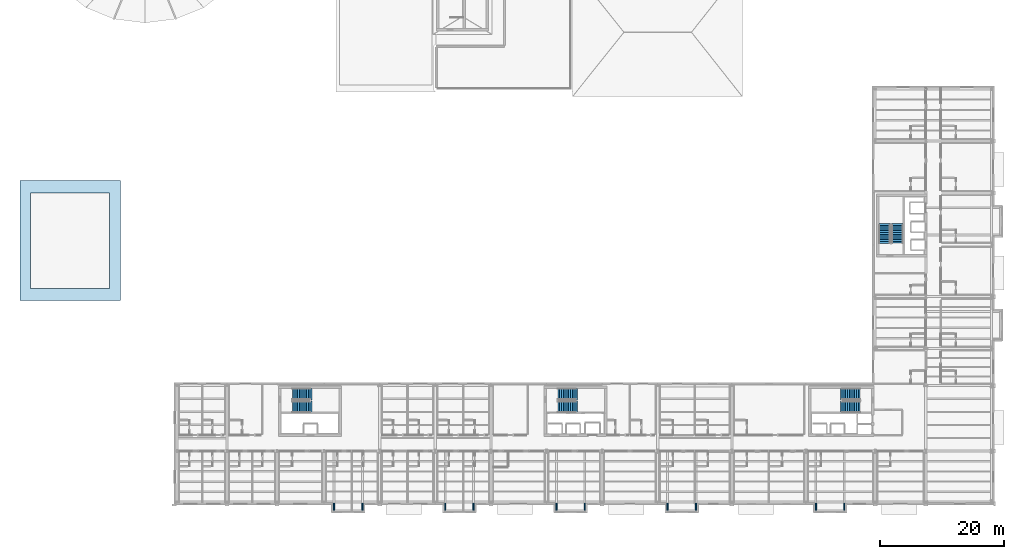
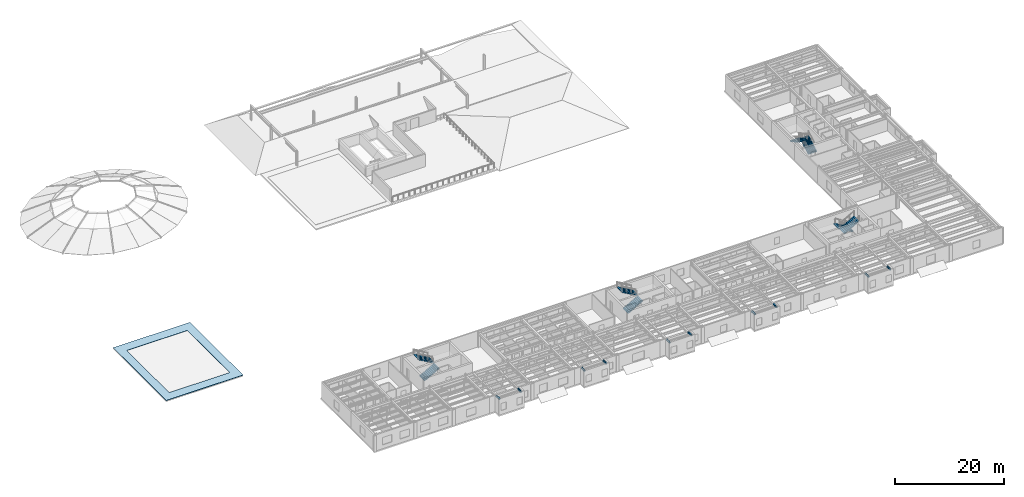
# One storey, part 27 of 34: 10 discrete accessories, 8 stair flights, 1 roof, 4 elements without a shape of their own.
"""IFC4 building model written with IfcOpenShell, lengths in metres."""

import ifcopenshell
import ifcopenshell.guid

model = None  # the IFC model being written
_history = None  # IfcOwnerHistory: only IFC2X3 demands one
_inside = {}  # id of a spatial element -> (the spatial element, [elements in it])
_under = {}  # id of a project, library or spatial element -> (it, [spatial elements below it])
_declared = {}  # id of a project -> (the project, [libraries it declares])
_typed = {}  # id of a type object -> (the type object, [elements of that type])
_made_of = {}  # id of a material, layer set ... -> (it, [elements and type objects made of it])


def new_model(schema):
    """Start an empty IFC model of exactly this schema.

    Asked for "IFC4X3", IfcOpenShell would pick the latest addendum, in which some entities
    have other attributes; the version numbers below select the first issue.
    IFC2X3 requires an IfcOwnerHistory on every rooted entity: one is made here for all.
    """
    global model, _history
    if schema == "IFC4X3":
        model = ifcopenshell.file(schema_version=(4, 3, 0, 0))
    else:
        model = ifcopenshell.file(schema=schema)
    _inside.clear()
    _under.clear()
    _declared.clear()
    _typed.clear()
    _made_of.clear()
    _history = None
    if model.schema == "IFC2X3":
        org = make("IfcOrganization", Name="unknown")
        user = make(
            "IfcPersonAndOrganization",
            ThePerson=make("IfcPerson", FamilyName="unknown"),
            TheOrganization=org,
        )
        app = make(
            "IfcApplication",
            ApplicationDeveloper=org,
            Version="unknown",
            ApplicationFullName="unknown",
            ApplicationIdentifier="unknown",
        )
        _history = make(
            "IfcOwnerHistory",
            OwningUser=user,
            OwningApplication=app,
            ChangeAction="ADDED",
            CreationDate=0,
        )
    return model


def make(cls, **values):
    """One entity of the class cls with the attributes given. An attribute that is None is left unset."""
    return model.create_entity(
        cls, **{name: value for name, value in values.items() if value is not None}
    )


def rooted(cls, **values):
    """An entity with a GlobalId (a new one), such as an element, a storey or a relation."""
    return make(cls, GlobalId=ifcopenshell.guid.new(), OwnerHistory=_history, **values)


def si_unit(unit_type, name, prefix=None):
    """IfcSIUnit, for example si_unit("LENGTHUNIT", "METRE", prefix="MILLI")."""
    return make("IfcSIUnit", UnitType=unit_type, Prefix=prefix, Name=name)


def assignment(units):
    """IfcUnitAssignment: the units of a project."""
    return None if units is None else make("IfcUnitAssignment", Units=units)


def point(xyz):
    """IfcCartesianPoint."""
    return None if xyz is None else make("IfcCartesianPoint", Coordinates=xyz)


def direction(xyz):
    """IfcDirection."""
    return None if xyz is None else make("IfcDirection", DirectionRatios=xyz)


def frame(location, z_axis=None, x_axis=None):
    """IfcAxis2Placement3D, a coordinate frame: its origin and axes. An axis left out is left unset."""
    return make(
        "IfcAxis2Placement3D",
        Location=point(location),
        Axis=direction(z_axis),
        RefDirection=direction(x_axis),
    )


def frame_2d(location, x_axis=None):
    """IfcAxis2Placement2D, a coordinate frame in the plane: its origin and x axis."""
    return make(
        "IfcAxis2Placement2D", Location=point(location), RefDirection=direction(x_axis)
    )


def origin():
    """The frame at (0, 0, 0) with its axes left unset."""
    return frame((0.0, 0.0, 0.0))


def origin_2d():
    """The frame at (0, 0) in the plane with its x axis left unset."""
    return frame_2d((0.0, 0.0))


def place(relative_to, where):
    """IfcLocalPlacement: puts the frame where relative to a parent placement (None: the world)."""
    return make(
        "IfcLocalPlacement", PlacementRelTo=relative_to, RelativePlacement=where
    )


def context(
    kind, dimensions, precision=None, world=None, true_north=None, identifier=None
):
    """IfcGeometricRepresentationContext, for example the 3D "Model" context."""
    return make(
        "IfcGeometricRepresentationContext",
        ContextIdentifier=identifier,
        ContextType=kind,
        CoordinateSpaceDimension=dimensions,
        Precision=precision,
        WorldCoordinateSystem=world,
        TrueNorth=true_north,
    )


def subcontext(parent, identifier, kind, view, scale=None):
    """IfcGeometricRepresentationSubContext, for example "Body" below "Model"."""
    return make(
        "IfcGeometricRepresentationSubContext",
        ContextIdentifier=identifier,
        ContextType=kind,
        ParentContext=parent,
        TargetScale=scale,
        TargetView=view,
    )


def project(units=None, contexts=None):
    """IfcProject with its units and contexts."""
    return rooted(
        "IfcProject",
        Name="project",
        RepresentationContexts=contexts,
        UnitsInContext=assignment(units),
    )


def spatial(cls, under=None, at=None, **own):
    """A site, building, storey or space (cls), placed at a placement, below another one or the project."""
    s = rooted(cls, ObjectPlacement=at, **own)
    if under is not None:
        _under.setdefault(under.id(), (under, []))[1].append(s)
    return s


def polyline(points):
    """IfcPolyline through the points."""
    return make("IfcPolyline", Points=[point(p) for p in points])


def profile(cls, at=None, kind="AREA", **sizes):
    """A parametric profile (cls). Its sizes go by their IFC names, for example OverallWidth=200.0."""
    return make(cls, ProfileType=kind, Position=at, **sizes)


def rectangle(**sizes):
    """IfcRectangleProfileDef."""
    return profile("IfcRectangleProfileDef", **sizes)


def outline(outer, holes=None, kind="AREA"):
    """IfcArbitraryClosedProfileDef: a profile drawn as a closed curve; with holes, ...WithVoids."""
    if holes is None:
        return make("IfcArbitraryClosedProfileDef", ProfileType=kind, OuterCurve=outer)
    return make(
        "IfcArbitraryProfileDefWithVoids",
        ProfileType=kind,
        OuterCurve=outer,
        InnerCurves=holes,
    )


def extrude(swept, where, along, depth):
    """IfcExtrudedAreaSolid: the profile swept, set in the frame where, extruded along a direction by depth."""
    return make(
        "IfcExtrudedAreaSolid",
        SweptArea=swept,
        Position=where,
        ExtrudedDirection=direction(along),
        Depth=depth,
    )


def shape(context_of_items, identifier, shape_type, items):
    """IfcShapeRepresentation: the items that make up one representation, for example the "Body"."""
    return make(
        "IfcShapeRepresentation",
        ContextOfItems=context_of_items,
        RepresentationIdentifier=identifier,
        RepresentationType=shape_type,
        Items=items,
    )


def material(Name=None, Category=None):
    """IfcMaterial."""
    return make("IfcMaterial", Name=Name, Category=Category)


def layer(
    of_material, thickness, ventilated=None, Name=None, Category=None, Priority=None
):
    """IfcMaterialLayer: one layer of a wall or slab, of a material (None: an air gap)."""
    return make(
        "IfcMaterialLayer",
        Material=of_material,
        LayerThickness=thickness,
        IsVentilated=ventilated,
        Name=Name,
        Category=Category,
        Priority=Priority,
    )


def layer_set(layers, Name=None):
    """IfcMaterialLayerSet."""
    return make("IfcMaterialLayerSet", MaterialLayers=layers, LayerSetName=Name)


def made_of(thing, what):
    """Note that an element or type object is made of a material, layer set ...; save() writes the relation."""
    if what is not None:
        _made_of.setdefault(what.id(), (what, []))[1].append(thing)
    return thing


def type_object(cls, material=None, **own):
    """A type object (cls), such as IfcWallType, which elements share."""
    return made_of(rooted(cls, **own), material)


def element(
    cls,
    number,
    at=None,
    inside=None,
    cuts=None,
    type_object=None,
    material=None,
    context=None,
    identifier="Body",
    shape_type=None,
    held_by="IfcProductDefinitionShape",
    body=None,
    shapes=None,
    **own,
):
    """One element of the class cls, such as IfcWall. Its Tag is "e" and its number.

    at: its placement. inside: the storey or other place that contains it. cuts: it is an
    opening in that element (IfcRelVoidsElement). A single representation is given by context,
    identifier, shape_type and body (its items); several are given by shapes. held_by: the class
    of the entity that holds the representations. save() writes the other relations.
    """
    e = rooted(cls, Tag="e%d" % number, ObjectPlacement=at, **own)
    if body is not None:
        shapes = [shape(context, identifier, shape_type, body)]
    if shapes is not None:
        e.Representation = make(held_by, Representations=shapes)
    if inside is not None:
        _inside.setdefault(inside.id(), (inside, []))[1].append(e)
    if cuts is not None:
        rooted(
            "IfcRelVoidsElement", RelatingBuildingElement=cuts, RelatedOpeningElement=e
        )
    if type_object is not None:
        _typed.setdefault(type_object.id(), (type_object, []))[1].append(e)
    return made_of(e, material)


def aggregate(whole, parts):
    """IfcRelAggregates: a whole, such as a stair, and the parts it consists of."""
    return rooted("IfcRelAggregates", RelatingObject=whole, RelatedObjects=parts)


def save(model, path):
    """Write the relations noted so far, then the file.

    IfcRelAggregates (storeys below a building ...), IfcRelContainedInSpatialStructure (elements
    in a storey), IfcRelDefinesByType, IfcRelAssociatesMaterial and IfcRelDeclares: one each for
    every whole, place, type object, material and project.
    """
    for whole, parts in _under.values():
        aggregate(whole, parts)
    for where, things in _inside.values():
        rooted(
            "IfcRelContainedInSpatialStructure",
            RelatedElements=things,
            RelatingStructure=where,
        )
    for kind, things in _typed.values():
        rooted("IfcRelDefinesByType", RelatedObjects=things, RelatingType=kind)
    for what, things in _made_of.values():
        rooted("IfcRelAssociatesMaterial", RelatedObjects=things, RelatingMaterial=what)
    for by, libraries in _declared.values():
        rooted("IfcRelDeclares", RelatingContext=by, RelatedDefinitions=libraries)
    model.write(path)


model = new_model("IFC4")

# Units and contexts
model_context = context("Model", 3, precision=1e-05, world=origin(), true_north=direction((0.0, 1.0)))
body_context = subcontext(model_context, "Body", "Model", "MODEL_VIEW")
ifc_project = project(units=[si_unit("LENGTHUNIT", "METRE"), si_unit("AREAUNIT", "SQUARE_METRE"), si_unit("VOLUMEUNIT", "CUBIC_METRE"), si_unit("PLANEANGLEUNIT", "RADIAN"), si_unit("MASSUNIT", "GRAM", prefix="KILO")], contexts=[model_context])

# Site, building, storey
site_placement = place(None, origin())
site = spatial("IfcSite", under=ifc_project, at=site_placement, CompositionType="ELEMENT")
building_placement = place(site_placement, origin())
building = spatial("IfcBuilding", under=site, at=building_placement, Name="Sollismere Congress Hotel", CompositionType="ELEMENT")
storey_placement = place(building_placement, frame((0.0, 0.0, 23.39990234375)))
storey = spatial("IfcBuildingStorey", under=building, at=storey_placement, Name="L05", CompositionType="ELEMENT", Elevation=23.39990234375)

# Stair, stair flights
ifc_material_1 = material(Name="Concrete C40/50", Category="concrete")
stair_type = type_object("IfcStairType", Name="STR-DL-360", PredefinedType="HALF_TURN_STAIR", material=ifc_material_1)
stair_1_placement = place(storey_placement, origin())
stair_1 = element("IfcStair", 1, at=stair_1_placement, inside=storey, type_object=stair_type, Name="Protected exit stair ST-01-L05", PredefinedType="HALF_TURN_STAIR")
stair_flight_type = type_object("IfcStairFlightType", Name="STF-DL-360", PredefinedType="STRAIGHT", material=ifc_material_1)
stair_flight_1_placement = place(storey_placement, frame((144.75, 17.425048828125, 0.0), z_axis=(0.0, 0.0, 1.0), x_axis=(-1.0, 0.0, 0.0)))
stair_flight_1 = element("IfcStairFlight", 2, at=stair_flight_1_placement, type_object=stair_flight_type, Name="Exit stair flight ST-01-L05-F1", NumberOfRisers=11, NumberOfTreads=11, PredefinedType="STRAIGHT", RiserHeight=0.16357421875, TreadLength=0.2900390625, context=body_context, shape_type="SweptSolid", body=[
    extrude(outline(polyline([(0.0, 0.0), (0.0, 0.16357421875), (0.2900390625, 0.16357421875), (0.2900390625, 0.3271484375), (0.580078125, 0.3271484375), (0.580078125, 0.49072265625), (0.8701171875, 0.49072265625), (0.8701171875, 0.654296875), (1.16015625, 0.654296875), (1.16015625, 0.81787109375), (1.4501953125, 0.81787109375), (1.4501953125, 0.9814453125), (1.740234375, 0.9814453125), (1.740234375, 1.14501953125), (2.0302734375, 1.14501953125), (2.0302734375, 1.30859375), (2.3203125, 1.30859375), (2.3203125, 1.47216796875), (2.6103515625, 1.47216796875), (2.6103515625, 1.6357421875), (2.900390625, 1.6357421875), (2.900390625, 1.79931640625), (3.1904296875, 1.79931640625), (3.1904296875, 1.61572265625), (0.325439453125, 0.0), (0.0, 0.0)])), frame((0.0, 0.925048828125, 0.0), z_axis=(0.0, -1.0, 0.0), x_axis=(1.0, 0.0, 0.0)), (0.0, 0.0, 1.0), 1.85009765625),
])
stair_flight_2_placement = place(storey_placement, frame((141.56005859375, 15.375, 1.800048828125), z_axis=(0.0, 0.0, 1.0), x_axis=(1.0, 0.0, 0.0)))
stair_flight_2 = element("IfcStairFlight", 3, at=stair_flight_2_placement, type_object=stair_flight_type, Name="Exit stair flight ST-01-L05-F2", NumberOfRisers=11, NumberOfTreads=11, PredefinedType="STRAIGHT", RiserHeight=0.16357421875, TreadLength=0.2900390625, context=body_context, shape_type="SweptSolid", body=[
    extrude(outline(polyline([(0.0, 0.0), (0.0, 0.16357421875), (0.2900390625, 0.16357421875), (0.2900390625, 0.3271484375), (0.580078125, 0.3271484375), (0.580078125, 0.49072265625), (0.8701171875, 0.49072265625), (0.8701171875, 0.654296875), (1.16015625, 0.654296875), (1.16015625, 0.81787109375), (1.4501953125, 0.81787109375), (1.4501953125, 0.9814453125), (1.740234375, 0.9814453125), (1.740234375, 1.14501953125), (2.0302734375, 1.14501953125), (2.0302734375, 1.30859375), (2.3203125, 1.30859375), (2.3203125, 1.47216796875), (2.6103515625, 1.47216796875), (2.6103515625, 1.6357421875), (2.900390625, 1.6357421875), (2.900390625, 1.79931640625), (3.1904296875, 1.79931640625), (3.1904296875, 1.61572265625), (0.325439453125, 0.0), (0.0, 0.0)])), frame((0.0, 0.925048828125, 0.0), z_axis=(0.0, -1.0, 0.0), x_axis=(1.0, 0.0, 0.0)), (0.0, 0.0, 1.0), 1.85009765625),
])
aggregate(stair_1, [stair_flight_1, stair_flight_2])

stair_2_placement = place(storey_placement, origin())
stair_2 = element("IfcStair", 4, at=stair_2_placement, inside=storey, type_object=stair_type, Name="Protected exit stair ST-02-L05", PredefinedType="HALF_TURN_STAIR")
stair_flight_3_placement = place(storey_placement, frame((95.85009765625, 15.375, 0.0), z_axis=(0.0, 0.0, 1.0), x_axis=(1.0, 0.0, 0.0)))
stair_flight_3 = element("IfcStairFlight", 5, at=stair_flight_3_placement, type_object=stair_flight_type, Name="Exit stair flight ST-02-L05-F1", NumberOfRisers=11, NumberOfTreads=11, PredefinedType="STRAIGHT", RiserHeight=0.16357421875, TreadLength=0.2900390625, context=body_context, shape_type="SweptSolid", body=[
    extrude(outline(polyline([(0.0, 0.0), (0.0, 0.16357421875), (0.2900390625, 0.16357421875), (0.2900390625, 0.3271484375), (0.580078125, 0.3271484375), (0.580078125, 0.49072265625), (0.8701171875, 0.49072265625), (0.8701171875, 0.654296875), (1.16015625, 0.654296875), (1.16015625, 0.81787109375), (1.4501953125, 0.81787109375), (1.4501953125, 0.9814453125), (1.740234375, 0.9814453125), (1.740234375, 1.14501953125), (2.0302734375, 1.14501953125), (2.0302734375, 1.30859375), (2.3203125, 1.30859375), (2.3203125, 1.47216796875), (2.6103515625, 1.47216796875), (2.6103515625, 1.6357421875), (2.900390625, 1.6357421875), (2.900390625, 1.79931640625), (3.1904296875, 1.79931640625), (3.1904296875, 1.61572265625), (0.325439453125, 0.0), (0.0, 0.0)])), frame((0.0, 0.925048828125, 0.0), z_axis=(0.0, -1.0, 0.0), x_axis=(1.0, 0.0, 0.0)), (0.0, 0.0, 1.0), 1.85009765625),
])
stair_flight_4_placement = place(storey_placement, frame((99.0400390625, 17.425048828125, 1.800048828125), z_axis=(0.0, 0.0, 1.0), x_axis=(-1.0, 0.0, 0.0)))
stair_flight_4 = element("IfcStairFlight", 6, at=stair_flight_4_placement, type_object=stair_flight_type, Name="Exit stair flight ST-02-L05-F2", NumberOfRisers=11, NumberOfTreads=11, PredefinedType="STRAIGHT", RiserHeight=0.16357421875, TreadLength=0.2900390625, context=body_context, shape_type="SweptSolid", body=[
    extrude(outline(polyline([(0.0, 0.0), (0.0, 0.16357421875), (0.2900390625, 0.16357421875), (0.2900390625, 0.3271484375), (0.580078125, 0.3271484375), (0.580078125, 0.49072265625), (0.8701171875, 0.49072265625), (0.8701171875, 0.654296875), (1.16015625, 0.654296875), (1.16015625, 0.81787109375), (1.4501953125, 0.81787109375), (1.4501953125, 0.9814453125), (1.740234375, 0.9814453125), (1.740234375, 1.14501953125), (2.0302734375, 1.14501953125), (2.0302734375, 1.30859375), (2.3203125, 1.30859375), (2.3203125, 1.47216796875), (2.6103515625, 1.47216796875), (2.6103515625, 1.6357421875), (2.900390625, 1.6357421875), (2.900390625, 1.79931640625), (3.1904296875, 1.79931640625), (3.1904296875, 1.61572265625), (0.325439453125, 0.0), (0.0, 0.0)])), frame((0.0, 0.925048828125, 0.0), z_axis=(0.0, -1.0, 0.0), x_axis=(1.0, 0.0, 0.0)), (0.0, 0.0, 1.0), 1.85009765625),
])
aggregate(stair_2, [stair_flight_3, stair_flight_4])

stair_3_placement = place(storey_placement, origin())
stair_3 = element("IfcStair", 7, at=stair_3_placement, inside=storey, type_object=stair_type, Name="Protected exit stair ST-03-L05", PredefinedType="HALF_TURN_STAIR")
stair_flight_5_placement = place(storey_placement, frame((150.77490234375, 41.85009765625, 0.0), z_axis=(0.0, 0.0, 1.0), x_axis=(0.0, 1.0, 0.0)))
stair_flight_5 = element("IfcStairFlight", 8, at=stair_flight_5_placement, type_object=stair_flight_type, Name="Exit stair flight ST-03-L05-F1", NumberOfRisers=11, NumberOfTreads=11, PredefinedType="STRAIGHT", RiserHeight=0.16357421875, TreadLength=0.2900390625, context=body_context, shape_type="SweptSolid", body=[
    extrude(outline(polyline([(0.0, 0.0), (0.0, 0.16357421875), (0.2900390625, 0.16357421875), (0.2900390625, 0.3271484375), (0.580078125, 0.3271484375), (0.580078125, 0.49072265625), (0.8701171875, 0.49072265625), (0.8701171875, 0.654296875), (1.16015625, 0.654296875), (1.16015625, 0.81787109375), (1.4501953125, 0.81787109375), (1.4501953125, 0.9814453125), (1.740234375, 0.9814453125), (1.740234375, 1.14501953125), (2.0302734375, 1.14501953125), (2.0302734375, 1.30859375), (2.3203125, 1.30859375), (2.3203125, 1.47216796875), (2.6103515625, 1.47216796875), (2.6103515625, 1.6357421875), (2.900390625, 1.6357421875), (2.900390625, 1.79931640625), (3.1904296875, 1.79931640625), (3.1904296875, 1.61572265625), (0.325439453125, 0.0), (0.0, 0.0)])), frame((0.0, 0.925048828125, 0.0), z_axis=(0.0, -1.0, 0.0), x_axis=(1.0, 0.0, 0.0)), (0.0, 0.0, 1.0), 1.85009765625),
])
stair_flight_6_placement = place(storey_placement, frame((148.72509765625, 45.0400390625, 1.800048828125), z_axis=(0.0, 0.0, 1.0), x_axis=(0.0, -1.0, 0.0)))
stair_flight_6 = element("IfcStairFlight", 9, at=stair_flight_6_placement, type_object=stair_flight_type, Name="Exit stair flight ST-03-L05-F2", NumberOfRisers=11, NumberOfTreads=11, PredefinedType="STRAIGHT", RiserHeight=0.16357421875, TreadLength=0.2900390625, context=body_context, shape_type="SweptSolid", body=[
    extrude(outline(polyline([(0.0, 0.0), (0.0, 0.16357421875), (0.2900390625, 0.16357421875), (0.2900390625, 0.3271484375), (0.580078125, 0.3271484375), (0.580078125, 0.49072265625), (0.8701171875, 0.49072265625), (0.8701171875, 0.654296875), (1.16015625, 0.654296875), (1.16015625, 0.81787109375), (1.4501953125, 0.81787109375), (1.4501953125, 0.9814453125), (1.740234375, 0.9814453125), (1.740234375, 1.14501953125), (2.0302734375, 1.14501953125), (2.0302734375, 1.30859375), (2.3203125, 1.30859375), (2.3203125, 1.47216796875), (2.6103515625, 1.47216796875), (2.6103515625, 1.6357421875), (2.900390625, 1.6357421875), (2.900390625, 1.79931640625), (3.1904296875, 1.79931640625), (3.1904296875, 1.61572265625), (0.325439453125, 0.0), (0.0, 0.0)])), frame((0.0, 0.925048828125, 0.0), z_axis=(0.0, -1.0, 0.0), x_axis=(1.0, 0.0, 0.0)), (0.0, 0.0, 1.0), 1.85009765625),
])
aggregate(stair_3, [stair_flight_5, stair_flight_6])

stair_4_placement = place(storey_placement, origin())
stair_4 = element("IfcStair", 10, at=stair_4_placement, inside=storey, type_object=stair_type, Name="Protected exit stair ST-06-L05", PredefinedType="HALF_TURN_STAIR")
stair_flight_7_placement = place(storey_placement, frame((52.85009765625, 15.375, 0.0), z_axis=(0.0, 0.0, 1.0), x_axis=(1.0, 0.0, 0.0)))
stair_flight_7 = element("IfcStairFlight", 11, at=stair_flight_7_placement, type_object=stair_flight_type, Name="Exit stair flight ST-06-L05-F1", NumberOfRisers=11, NumberOfTreads=11, PredefinedType="STRAIGHT", RiserHeight=0.16357421875, TreadLength=0.2900390625, context=body_context, shape_type="SweptSolid", body=[
    extrude(outline(polyline([(0.0, 0.0), (0.0, 0.16357421875), (0.2900390625, 0.16357421875), (0.2900390625, 0.3271484375), (0.580078125, 0.3271484375), (0.580078125, 0.49072265625), (0.8701171875, 0.49072265625), (0.8701171875, 0.654296875), (1.16015625, 0.654296875), (1.16015625, 0.81787109375), (1.4501953125, 0.81787109375), (1.4501953125, 0.9814453125), (1.740234375, 0.9814453125), (1.740234375, 1.14501953125), (2.0302734375, 1.14501953125), (2.0302734375, 1.30859375), (2.3203125, 1.30859375), (2.3203125, 1.47216796875), (2.6103515625, 1.47216796875), (2.6103515625, 1.6357421875), (2.900390625, 1.6357421875), (2.900390625, 1.79931640625), (3.1904296875, 1.79931640625), (3.1904296875, 1.61572265625), (0.325439453125, 0.0), (0.0, 0.0)])), frame((0.0, 0.925048828125, 0.0), z_axis=(0.0, -1.0, 0.0), x_axis=(1.0, 0.0, 0.0)), (0.0, 0.0, 1.0), 1.85009765625),
])
stair_flight_8_placement = place(storey_placement, frame((56.0400390625, 17.425048828125, 1.800048828125), z_axis=(0.0, 0.0, 1.0), x_axis=(-1.0, 0.0, 0.0)))
stair_flight_8 = element("IfcStairFlight", 12, at=stair_flight_8_placement, type_object=stair_flight_type, Name="Exit stair flight ST-06-L05-F2", NumberOfRisers=11, NumberOfTreads=11, PredefinedType="STRAIGHT", RiserHeight=0.16357421875, TreadLength=0.2900390625, context=body_context, shape_type="SweptSolid", body=[
    extrude(outline(polyline([(0.0, 0.0), (0.0, 0.16357421875), (0.2900390625, 0.16357421875), (0.2900390625, 0.3271484375), (0.580078125, 0.3271484375), (0.580078125, 0.49072265625), (0.8701171875, 0.49072265625), (0.8701171875, 0.654296875), (1.16015625, 0.654296875), (1.16015625, 0.81787109375), (1.4501953125, 0.81787109375), (1.4501953125, 0.9814453125), (1.740234375, 0.9814453125), (1.740234375, 1.14501953125), (2.0302734375, 1.14501953125), (2.0302734375, 1.30859375), (2.3203125, 1.30859375), (2.3203125, 1.47216796875), (2.6103515625, 1.47216796875), (2.6103515625, 1.6357421875), (2.900390625, 1.6357421875), (2.900390625, 1.79931640625), (3.1904296875, 1.79931640625), (3.1904296875, 1.61572265625), (0.325439453125, 0.0), (0.0, 0.0)])), frame((0.0, 0.925048828125, 0.0), z_axis=(0.0, -1.0, 0.0), x_axis=(1.0, 0.0, 0.0)), (0.0, 0.0, 1.0), 1.85009765625),
])
aggregate(stair_4, [stair_flight_7, stair_flight_8])

# Roof
ifc_material_2 = material(Name="Standing-Seam Zinc-Titanium Roofing")
ifc_layer = layer(ifc_material_2, 0.090087890625, Name="Standing-Seam Zinc-Titanium Roofing")
ifc_layer_set = layer_set([ifc_layer], Name="Standing-Seam Zinc-Titanium Roofing")
roof_type = type_object("IfcRoofType", Name="RF-PAV", PredefinedType="PAVILION_ROOF", material=ifc_layer_set)
roof_placement = place(storey_placement, origin())
element("IfcRoof", 13, at=roof_placement, inside=storey, type_object=roof_type, Name="Grand Ballroom Pavilion Hipped Standing-Seam Roof", PredefinedType="PAVILION_ROOF", context=body_context, shape_type="SweptSolid", body=[
    extrude(outline(polyline([(8.780029296875, 32.580078125), (25.02001953125, 32.580078125), (25.02001953125, 52.02001953125), (8.780029296875, 52.02001953125), (8.780029296875, 32.580078125)]), holes=[polyline([(10.5, 50.0), (23.300048828125, 50.0), (23.300048828125, 34.5), (10.5, 34.5), (10.5, 50.0)])]), origin(), (0.0, 0.0, 1.0), 0.090087890625),
])

# Discrete accessories
ifc_material_3 = material(Name="Steel ASTM A572 Grade 50", Category="steel")
discrete_accessory_type = type_object("IfcDiscreteAccessoryType", Name="BRK-STL", PredefinedType="BRACKET", material=ifc_material_3)
for number, where, z_axis, x_axis, name in (
    (14, (59.60009765625, -0.800048828125, 3.0751953125), (0.0, 0.0, 1.0), (1.0, 0.0, 0.0), "BRK-CK-031"),
    (15, (64.199951171875, -0.800048828125, 3.0751953125), (0.0, 0.0, 1.0), (1.0, 0.0, 0.0), "BRK-CK-032"),
    (16, (77.60009765625, -0.800048828125, 3.0751953125), (0.0, 0.0, 1.0), (1.0, 0.0, 0.0), "BRK-CK-033"),
    (17, (82.199951171875, -0.800048828125, 3.0751953125), (0.0, 0.0, 1.0), (1.0, 0.0, 0.0), "BRK-CK-034"),
    (18, (95.60009765625, -0.800048828125, 3.0751953125), (0.0, 0.0, 1.0), (1.0, 0.0, 0.0), "BRK-CK-035"),
    (19, (100.199951171875, -0.800048828125, 3.0751953125), (0.0, 0.0, 1.0), (1.0, 0.0, 0.0), "BRK-CK-036"),
    (20, (113.60009765625, -0.800048828125, 3.0751953125), (0.0, 0.0, 1.0), (1.0, 0.0, 0.0), "BRK-CK-037"),
    (21, (118.199951171875, -0.800048828125, 3.0751953125), (0.0, 0.0, 1.0), (1.0, 0.0, 0.0), "BRK-CK-038"),
    (22, (137.60009765625, -0.800048828125, 3.0751953125), (0.0, 0.0, 1.0), (1.0, 0.0, 0.0), "BRK-CK-039"),
    (23, (142.199951171875, -0.800048828125, 3.0751953125), (0.0, 0.0, 1.0), (1.0, 0.0, 0.0), "BRK-CK-040"),
):
    element("IfcDiscreteAccessory", number, at=place(storey_placement, frame(where, z_axis=z_axis, x_axis=x_axis)), inside=storey, type_object=discrete_accessory_type, Name=name, PredefinedType="BRACKET", context=body_context, shape_type="SweptSolid", body=[
        extrude(rectangle(XDim=0.219970703125, YDim=1.14990234375, at=origin_2d()), origin(), (0.0, 0.0, 1.0), 0.260009765625),
    ])

save(model, "model.ifc")
